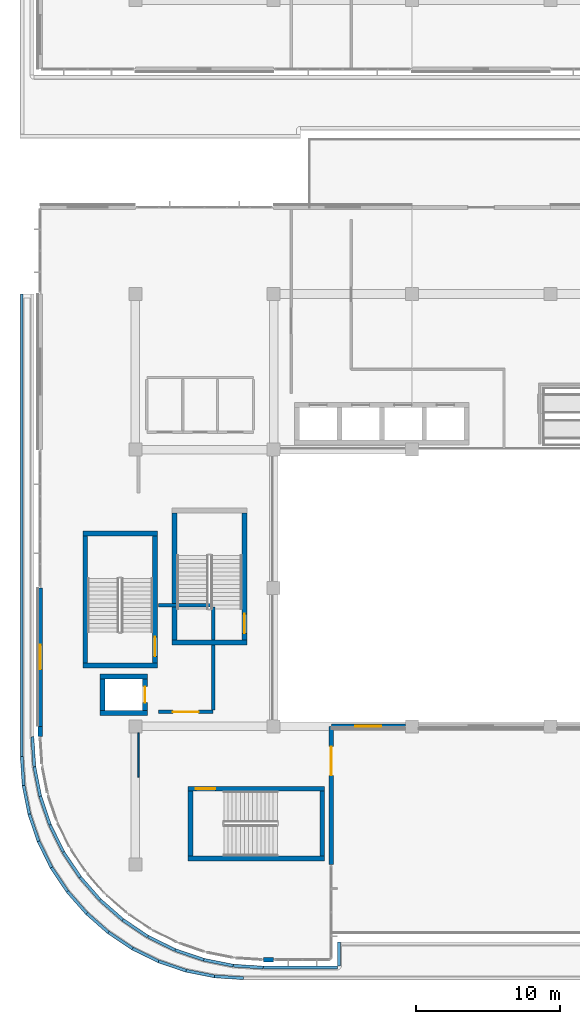
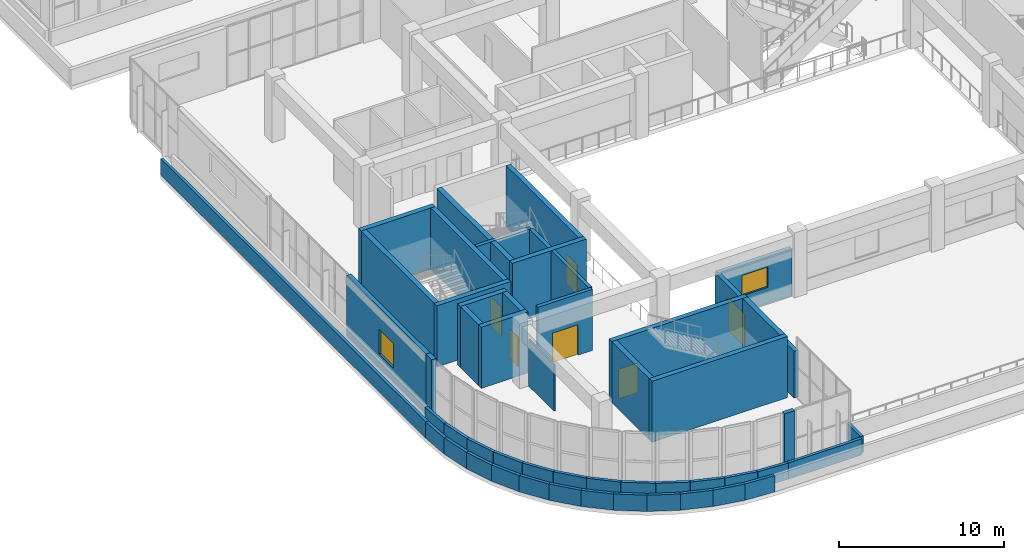
# One storey, part 61 of 96: 51 walls, 6 doors, 2 windows, 8 openings.
"""IFC4 building model written with IfcOpenShell, lengths in metres."""

from ifc_helpers import new_model, si_unit, direction, frame, frame_2d, origin, place, context, subcontext, project, spatial, rectangle, extrude, material, layer, layer_set, type_object, element, fill, save


model = new_model("IFC4")

# Units and contexts
model_context = context("Model", 3, precision=1e-05, world=origin(), true_north=direction((0.0, 1.0)))
body_context = subcontext(model_context, "Body", "Model", "MODEL_VIEW")
ifc_project = project(units=[si_unit("LENGTHUNIT", "METRE"), si_unit("AREAUNIT", "SQUARE_METRE"), si_unit("VOLUMEUNIT", "CUBIC_METRE"), si_unit("PLANEANGLEUNIT", "RADIAN"), si_unit("MASSUNIT", "GRAM", prefix="KILO")], contexts=[model_context])

# Site, building, storey
site_placement = place(None, origin())
site = spatial("IfcSite", under=ifc_project, at=site_placement, CompositionType="ELEMENT")
building_placement = place(site_placement, origin())
building = spatial("IfcBuilding", under=site, at=building_placement, Name="Cendralis Terraced Arcade", CompositionType="ELEMENT")
storey_placement = place(building_placement, frame((0.0, 0.0, 10.199951171875)))
storey = spatial("IfcBuildingStorey", under=building, at=storey_placement, Name="L02", CompositionType="ELEMENT", Elevation=10.199951171875)

# Walls
ifc_material_1 = material(Name="Concrete f'c 42 MPa", Category="concrete")
ifc_layer_1 = layer(ifc_material_1, 0.340087890625, Name="WL-CORE-340")
ifc_layer_set_1 = layer_set([ifc_layer_1], Name="Concrete f'c 42 MPa")
wall_type_1 = type_object("IfcWallType", Name="WL-CORE-340", PredefinedType="SHEAR", material=ifc_layer_set_1)
for number, where, z_axis, x_axis, name in (
    (1, (5.9599609375, 23.429931640625, 0.0), (0.0, 0.0, 1.0), (1.0, 0.0, 0.0), "Stair Core Reinforced Concrete Shear Wall SW-ST-01-L02-S"),
    (2, (5.9599609375, 32.570068359375, 0.0), (0.0, 0.0, 1.0), (1.0, 0.0, 0.0), "Stair Core Reinforced Concrete Shear Wall SW-ST-01-L02-N"),
):
    element("IfcWall", number, at=place(storey_placement, frame(where, z_axis=z_axis, x_axis=x_axis)), inside=storey, type_object=wall_type_1, Name=name, PredefinedType="SHEAR", context=body_context, shape_type="SweptSolid", body=[
        extrude(rectangle(XDim=5.179931640625, YDim=0.340087890625, at=frame_2d((2.58984375, 0.0))), origin(), (0.0, 0.0, 1.0), 4.51513671875),
    ])

# Wall, opening, door
wall_1_placement = place(storey_placement, frame((10.969970703125, 23.60009765625, 0.0), z_axis=(0.0, 0.0, 1.0), x_axis=(0.0, 1.0, 0.0)))
wall_1 = element("IfcWall", 3, at=wall_1_placement, inside=storey, type_object=wall_type_1, Name="Stair Core Reinforced Concrete Shear Wall SW-ST-01-L02-E", PredefinedType="SHEAR", context=body_context, shape_type="SweptSolid", body=[
    extrude(rectangle(XDim=8.7998046875, YDim=0.340087890625, at=frame_2d((4.39990234375, 0.0))), origin(), (0.0, 0.0, 1.0), 4.51513671875),
])
opening_1_placement = place(wall_1_placement, frame((0.449951171875, 0.0, 0.0)))
opening_1 = element("IfcOpeningElement", 4, at=opening_1_placement, cuts=wall_1, Name="Opening D-ST-01-L02", PredefinedType="OPENING", context=body_context, shape_type="SweptSolid", body=[
    extrude(rectangle(XDim=1.35009765625, YDim=2.199951171875, at=frame_2d((0.675048828125, 1.10009765625))), frame((0.0, 0.18212890625, 0.0), z_axis=(0.0, -1.0, 0.0), x_axis=(1.0, 0.0, 0.0)), (0.0, 0.0, 1.0), 0.364013671875),
])
ifc_material_2 = material(Name="Galvanised fire-rated steel door assembly", Category="steel")
door_type_1 = type_object("IfcDoorType", Name="ID-ST-1350x2200", OperationType="NOTDEFINED", PredefinedType="DOOR", material=ifc_material_2)
door_1_placement = place(opening_1_placement, origin())
door_1 = element("IfcDoor", 5, at=door_1_placement, inside=storey, type_object=door_type_1, Name="Protected Stair ST-01 Fire Door (L02)", OperationType="SINGLE_SWING_RIGHT", OverallHeight=2.199951171875, OverallWidth=1.35009765625, PredefinedType="DOOR", context=body_context, shape_type="SweptSolid", body=[
    extrude(rectangle(XDim=1.35009765625, YDim=2.199951171875, at=frame_2d((0.675048828125, 1.10009765625))), frame((0.0, 0.02490234375, 0.0), z_axis=(0.0, -1.0, 0.0), x_axis=(1.0, 0.0, 0.0)), (0.0, 0.0, 1.0), 0.050048828125),
])
fill(opening_1, door_1)

# Walls
wall_2_placement = place(storey_placement, frame((6.1298828125, 23.60009765625, 0.0), z_axis=(0.0, 0.0, 1.0), x_axis=(0.0, 1.0, 0.0)))
element("IfcWall", 6, at=wall_2_placement, inside=storey, type_object=wall_type_1, Name="Stair Core Reinforced Concrete Shear Wall SW-ST-01-L02-W", PredefinedType="SHEAR", context=body_context, shape_type="SweptSolid", body=[
    extrude(rectangle(XDim=8.7998046875, YDim=0.340087890625, at=frame_2d((4.39990234375, 0.0))), origin(), (0.0, 0.0, 1.0), 4.51513671875),
])
wall_3_placement = place(storey_placement, frame((13.260009765625, 10.030029296875, 0.0), z_axis=(0.0, 0.0, 1.0), x_axis=(1.0, 0.0, 0.0)))
element("IfcWall", 7, at=wall_3_placement, inside=storey, type_object=wall_type_1, Name="Stair Core Reinforced Concrete Shear Wall SW-ST-02-L02-S", PredefinedType="SHEAR", context=body_context, shape_type="SweptSolid", body=[
    extrude(rectangle(XDim=9.47998046875, YDim=0.340087890625, at=frame_2d((4.739990234375, 0.0))), origin(), (0.0, 0.0, 1.0), 4.51513671875),
])

# Wall, opening, door
wall_4_placement = place(storey_placement, frame((13.260009765625, 14.8701171875, 0.0), z_axis=(0.0, 0.0, 1.0), x_axis=(1.0, 0.0, 0.0)))
wall_4 = element("IfcWall", 8, at=wall_4_placement, inside=storey, type_object=wall_type_1, Name="Stair Core Reinforced Concrete Shear Wall SW-ST-02-L02-N", PredefinedType="SHEAR", context=body_context, shape_type="SweptSolid", body=[
    extrude(rectangle(XDim=9.47998046875, YDim=0.340087890625, at=frame_2d((4.739990234375, 0.0))), origin(), (0.0, 0.0, 1.0), 4.51513671875),
])
opening_2_placement = place(wall_4_placement, frame((0.550048828125, 0.0, 0.0)))
opening_2 = element("IfcOpeningElement", 9, at=opening_2_placement, cuts=wall_4, Name="Opening D-ST-02-L02", PredefinedType="OPENING", context=body_context, shape_type="SweptSolid", body=[
    extrude(rectangle(XDim=1.35009765625, YDim=2.199951171875, at=frame_2d((0.675048828125, 1.10009765625))), frame((0.0, 0.18212890625, 0.0), z_axis=(0.0, -1.0, 0.0), x_axis=(1.0, 0.0, 0.0)), (0.0, 0.0, 1.0), 0.364013671875),
])
door_2_placement = place(opening_2_placement, frame((1.35009765625, 0.0, 0.0), z_axis=(0.0, 0.0, 1.0), x_axis=(-1.0, 0.0, 0.0)))
door_2 = element("IfcDoor", 10, at=door_2_placement, inside=storey, type_object=door_type_1, Name="Protected Stair ST-02 Fire Door (L02)", OperationType="SINGLE_SWING_LEFT", OverallHeight=2.199951171875, OverallWidth=1.35009765625, PredefinedType="DOOR", context=body_context, shape_type="SweptSolid", body=[
    extrude(rectangle(XDim=1.35009765625, YDim=2.199951171875, at=frame_2d((0.675048828125, 1.10009765625))), frame((0.0, 0.02490234375, 0.0), z_axis=(0.0, -1.0, 0.0), x_axis=(1.0, 0.0, 0.0)), (0.0, 0.0, 1.0), 0.050048828125),
])
fill(opening_2, door_2)

# Walls
for number, where, z_axis, x_axis, name in (
    (11, (22.570068359375, 10.199951171875, 0.0), (0.0, 0.0, 1.0), (0.0, 1.0, 0.0), "Stair Core Reinforced Concrete Shear Wall SW-ST-02-L02-E"),
    (12, (13.429931640625, 10.199951171875, 0.0), (0.0, 0.0, 1.0), (0.0, 1.0, 0.0), "Stair Core Reinforced Concrete Shear Wall SW-ST-02-L02-W"),
):
    element("IfcWall", number, at=place(storey_placement, frame(where, z_axis=z_axis, x_axis=x_axis)), inside=storey, type_object=wall_type_1, Name=name, PredefinedType="SHEAR", context=body_context, shape_type="SweptSolid", body=[
        extrude(rectangle(XDim=4.5, YDim=0.340087890625, at=frame_2d((2.25, 0.0))), origin(), (0.0, 0.0, 1.0), 4.51513671875),
    ])
wall_5_placement = place(storey_placement, frame((12.159912109375, 25.030029296875, 0.0), z_axis=(0.0, 0.0, 1.0), x_axis=(1.0, 0.0, 0.0)))
element("IfcWall", 13, at=wall_5_placement, inside=storey, type_object=wall_type_1, Name="Stair Core Reinforced Concrete Shear Wall SW-ST-05-L02-S", PredefinedType="SHEAR", context=body_context, shape_type="SweptSolid", body=[
    extrude(rectangle(XDim=5.18017578125, YDim=0.340087890625, at=frame_2d((2.590087890625, 0.0))), origin(), (0.0, 0.0, 1.0), 4.51513671875),
])

# Wall, opening, door
wall_6_placement = place(storey_placement, frame((17.169921875, 25.199951171875, 0.0), z_axis=(0.0, 0.0, 1.0), x_axis=(0.0, 1.0, 0.0)))
wall_6 = element("IfcWall", 14, at=wall_6_placement, inside=storey, type_object=wall_type_1, Name="Stair Core Reinforced Concrete Shear Wall SW-ST-05-L02-E", PredefinedType="SHEAR", context=body_context, shape_type="SweptSolid", body=[
    extrude(rectangle(XDim=8.800048828125, YDim=0.340087890625, at=frame_2d((4.39990234375, 0.0))), origin(), (0.0, 0.0, 1.0), 4.51513671875),
])
opening_3_placement = place(wall_6_placement, frame((0.449951171875, 0.0, 0.0)))
opening_3 = element("IfcOpeningElement", 15, at=opening_3_placement, cuts=wall_6, Name="Opening D-ST-05-L02", PredefinedType="OPENING", context=body_context, shape_type="SweptSolid", body=[
    extrude(rectangle(XDim=1.35009765625, YDim=2.199951171875, at=frame_2d((0.675048828125, 1.10009765625))), frame((0.0, 0.18212890625, 0.0), z_axis=(0.0, -1.0, 0.0), x_axis=(1.0, 0.0, 0.0)), (0.0, 0.0, 1.0), 0.364013671875),
])
door_3_placement = place(opening_3_placement, origin())
door_3 = element("IfcDoor", 16, at=door_3_placement, inside=storey, type_object=door_type_1, Name="Protected Stair ST-05 Fire Door (L02)", OperationType="SINGLE_SWING_LEFT", OverallHeight=2.199951171875, OverallWidth=1.35009765625, PredefinedType="DOOR", context=body_context, shape_type="SweptSolid", body=[
    extrude(rectangle(XDim=1.35009765625, YDim=2.199951171875, at=frame_2d((0.675048828125, 1.10009765625))), frame((0.0, 0.02490234375, 0.0), z_axis=(0.0, -1.0, 0.0), x_axis=(1.0, 0.0, 0.0)), (0.0, 0.0, 1.0), 0.050048828125),
])
fill(opening_3, door_3)

# Walls
wall_7_placement = place(storey_placement, frame((12.330078125, 25.199951171875, 0.0), z_axis=(0.0, 0.0, 1.0), x_axis=(0.0, 1.0, 0.0)))
element("IfcWall", 17, at=wall_7_placement, inside=storey, type_object=wall_type_1, Name="Stair Core Reinforced Concrete Shear Wall SW-ST-05-L02-W", PredefinedType="SHEAR", context=body_context, shape_type="SweptSolid", body=[
    extrude(rectangle(XDim=8.800048828125, YDim=0.340087890625, at=frame_2d((4.39990234375, 0.0))), origin(), (0.0, 0.0, 1.0), 4.51513671875),
])
for number, where, z_axis, x_axis, name in (
    (18, (7.159912109375, 20.1298828125, 0.0), (0.0, 0.0, 1.0), (1.0, 0.0, 0.0), "Lift FFL-01 Reinforced Concrete Shaft Wall (L02)"),
    (19, (7.159912109375, 22.669921875, 0.0), (0.0, 0.0, 1.0), (1.0, 0.0, 0.0), "Lift FFL-01 Reinforced Concrete Shaft Wall (L02)"),
):
    element("IfcWall", number, at=place(storey_placement, frame(where, z_axis=z_axis, x_axis=x_axis)), inside=storey, type_object=wall_type_1, Name=name, PredefinedType="SHEAR", context=body_context, shape_type="SweptSolid", body=[
        extrude(rectangle(XDim=3.280029296875, YDim=0.340087890625, at=frame_2d((1.64013671875, 0.0))), origin(), (0.0, 0.0, 1.0), 4.51513671875),
    ])
wall_8_placement = place(storey_placement, frame((7.330078125, 20.300048828125, 0.0), z_axis=(0.0, 0.0, 1.0), x_axis=(0.0, 1.0, 0.0)))
element("IfcWall", 20, at=wall_8_placement, inside=storey, type_object=wall_type_1, Name="Lift FFL-01 Reinforced Concrete Shaft Wall (L02)", PredefinedType="SHEAR", context=body_context, shape_type="SweptSolid", body=[
    extrude(rectangle(XDim=2.199951171875, YDim=0.340087890625, at=frame_2d((1.10009765625, 0.0))), origin(), (0.0, 0.0, 1.0), 4.51513671875),
])

# Wall, opening, door
wall_9_placement = place(storey_placement, frame((10.27001953125, 20.300048828125, 0.0), z_axis=(0.0, 0.0, 1.0), x_axis=(0.0, 1.0, 0.0)))
wall_9 = element("IfcWall", 21, at=wall_9_placement, inside=storey, type_object=wall_type_1, Name="Lift FFL-01 Reinforced Concrete Shaft Wall (L02)", PredefinedType="SHEAR", context=body_context, shape_type="SweptSolid", body=[
    extrude(rectangle(XDim=2.199951171875, YDim=0.340087890625, at=frame_2d((1.10009765625, 0.0))), origin(), (0.0, 0.0, 1.0), 4.51513671875),
])
opening_4_placement = place(wall_9_placement, frame((0.550048828125, 0.0, 0.0)))
opening_4 = element("IfcOpeningElement", 22, at=opening_4_placement, cuts=wall_9, Name="Opening LD-FFL-01-L02", PredefinedType="OPENING", context=body_context, shape_type="SweptSolid", body=[
    extrude(rectangle(XDim=1.10009765625, YDim=2.14990234375, at=frame_2d((0.550048828125, 1.074951171875))), frame((0.0, 0.18212890625, 0.0), z_axis=(0.0, -1.0, 0.0), x_axis=(1.0, 0.0, 0.0)), (0.0, 0.0, 1.0), 0.364013671875),
])
ifc_material_3 = material(Name="Anodised aluminium sliding door assembly", Category="aluminium")
door_type_2 = type_object("IfcDoorType", Name="ID-LD-FF-1100x2150", OperationType="DOUBLE_DOOR_SLIDING", PredefinedType="DOOR", material=ifc_material_3)
door_4_placement = place(opening_4_placement, origin())
door_4 = element("IfcDoor", 23, at=door_4_placement, inside=storey, type_object=door_type_2, Name="Lift FFL-01 Sliding Landing Door (L02)", OperationType="DOUBLE_DOOR_SLIDING", OverallHeight=2.14990234375, OverallWidth=1.10009765625, PredefinedType="DOOR", context=body_context, shape_type="SweptSolid", body=[
    extrude(rectangle(XDim=1.10009765625, YDim=2.14990234375, at=frame_2d((0.550048828125, 1.074951171875))), frame((0.0, 0.02490234375, 0.0), z_axis=(0.0, -1.0, 0.0), x_axis=(1.0, 0.0, 0.0)), (0.0, 0.0, 1.0), 0.050048828125),
])
fill(opening_4, door_4)

# Wall, opening, window
ifc_material_4 = material(Name="Precast concrete f'c 40 MPa", Category="concrete")
ifc_layer_2 = layer(ifc_material_4, 0.300048828125, Name="WL-EXT-GRC-300")
ifc_layer_set_2 = layer_set([ifc_layer_2], Name="Precast concrete f'c 40 MPa")
wall_type_2 = type_object("IfcWallType", Name="WL-EXT-GRC-300", PredefinedType="SOLIDWALL", material=ifc_layer_set_2)
wall_10_placement = place(storey_placement, frame((28.35205078125, 19.199951171875, 0.0), z_axis=(0.0, 0.0, 1.0), x_axis=(-1.0, 0.0, 0.0)))
wall_10 = element("IfcWall", 24, at=wall_10_placement, inside=storey, type_object=wall_type_2, Name="Exterior Architectural Wall EW-L02-0216", PredefinedType="SOLIDWALL", context=body_context, shape_type="SweptSolid", body=[
    extrude(rectangle(XDim=5.152099609375, YDim=0.300048828125, at=frame_2d((2.576171875, 0.0))), origin(), (0.0, 0.0, 1.0), 3.455078125),
])
opening_5_placement = place(wall_10_placement, frame((1.676025390625, 0.0, 1.199951171875)))
opening_5 = element("IfcOpeningElement", 25, at=opening_5_placement, cuts=wall_10, Name="Opening W-19", PredefinedType="OPENING", context=body_context, shape_type="SweptSolid", body=[
    extrude(rectangle(XDim=1.800048828125, YDim=1.5, at=frame_2d((0.89990234375, 0.75))), frame((0.0, 0.162109375, 0.0), z_axis=(0.0, -1.0, 0.0), x_axis=(1.0, 0.0, 0.0)), (0.0, 0.0, 1.0), 0.323974609375),
])
ifc_material_5 = material(Name="Tempered solar control laminated glass", Category="glass")
window_type_1 = type_object("IfcWindowType", Name="WN-BOH-1800x1500", PartitioningType="SINGLE_PANEL", PredefinedType="WINDOW", material=ifc_material_5)
window_1_placement = place(opening_5_placement, origin())
window_1 = element("IfcWindow", 26, at=window_1_placement, inside=storey, type_object=window_type_1, Name="Exterior Solar-Control Window WN-L02-0133", OverallHeight=1.5, OverallWidth=1.800048828125, PartitioningType="SINGLE_PANEL", PredefinedType="WINDOW", context=body_context, shape_type="SweptSolid", body=[
    extrude(rectangle(XDim=1.800048828125, YDim=1.5, at=frame_2d((0.89990234375, 0.75))), frame((0.0, 0.030029296875, 0.0), z_axis=(0.0, -1.0, 0.0), x_axis=(1.0, 0.0, 0.0)), (0.0, 0.0, 1.0), 0.06005859375),
])
fill(opening_5, window_1)

# Wall, opening, door
wall_11_placement = place(storey_placement, frame((23.199951171875, 19.199951171875, 0.0), z_axis=(0.0, 0.0, 1.0), x_axis=(0.0, -1.0, 0.0)))
wall_11 = element("IfcWall", 27, at=wall_11_placement, inside=storey, type_object=wall_type_2, Name="Exterior Architectural Wall EW-L02-0217", PredefinedType="SOLIDWALL", context=body_context, shape_type="SweptSolid", body=[
    extrude(rectangle(XDim=9.599853515625, YDim=0.300048828125, at=frame_2d((4.7998046875, 0.0))), origin(), (0.0, 0.0, 1.0), 3.455078125),
])
opening_6_placement = place(wall_11_placement, frame((1.39990234375, 0.0, 0.0)))
opening_6 = element("IfcOpeningElement", 28, at=opening_6_placement, cuts=wall_11, Name="Opening TD-L02-01", PredefinedType="OPENING", context=body_context, shape_type="SweptSolid", body=[
    extrude(rectangle(XDim=2.0, YDim=2.39990234375, at=frame_2d((1.0, 1.199951171875))), frame((0.0, 0.162109375, 0.0), z_axis=(0.0, -1.0, 0.0), x_axis=(1.0, 0.0, 0.0)), (0.0, 0.0, 1.0), 0.323974609375),
])
ifc_material_6 = material(Name="Powder-coated thermally broken aluminium and glass", Category="aluminium")
door_type_3 = type_object("IfcDoorType", Name="ED-TER-2000x2400", OperationType="DOUBLE_DOOR_SINGLE_SWING", PredefinedType="DOOR", material=ifc_material_6)
door_5_placement = place(opening_6_placement, origin())
door_5 = element("IfcDoor", 29, at=door_5_placement, inside=storey, type_object=door_type_3, Name="Planted Terrace Access Door TD-L02-01", OperationType="DOUBLE_DOOR_SINGLE_SWING", OverallHeight=2.39990234375, OverallWidth=2.0, PredefinedType="DOOR", context=body_context, shape_type="SweptSolid", body=[
    extrude(rectangle(XDim=2.0, YDim=2.39990234375, at=frame_2d((1.0, 1.199951171875))), frame((0.0, 0.02490234375, 0.0), z_axis=(0.0, -1.0, 0.0), x_axis=(1.0, 0.0, 0.0)), (0.0, 0.0, 1.0), 0.050048828125),
])
fill(opening_6, door_5)

# Walls
for number, where, z_axis, x_axis, name in (
    (30, (19.199951171875, 3.0, 0.0), (0.0, 0.0, 1.0), (-1.0, 0.0, 0.0), "Exterior Architectural Wall EW-L02-0218"),
    (31, (3.0, 18.5, 0.0), (0.0, 0.0, 1.0), (0.0, 1.0, 0.0), "Exterior Architectural Wall EW-L02-0219"),
):
    element("IfcWall", number, at=place(storey_placement, frame(where, z_axis=z_axis, x_axis=x_axis)), inside=storey, type_object=wall_type_2, Name=name, PredefinedType="SOLIDWALL", context=body_context, shape_type="SweptSolid", body=[
        extrude(rectangle(XDim=0.699951171875, YDim=0.300048828125, at=frame_2d((0.35009765625, 0.0))), origin(), (0.0, 0.0, 1.0), 4.51513671875),
    ])

# Wall, opening, window
wall_12_placement = place(storey_placement, frame((3.0, 19.199951171875, 0.0), z_axis=(0.0, 0.0, 1.0), x_axis=(0.0, 1.0, 0.0)))
wall_12 = element("IfcWall", 32, at=wall_12_placement, inside=storey, type_object=wall_type_2, Name="Exterior Architectural Wall EW-L02-0220", PredefinedType="SOLIDWALL", context=body_context, shape_type="SweptSolid", body=[
    extrude(rectangle(XDim=9.60009765625, YDim=0.300048828125, at=frame_2d((4.800048828125, 0.0))), origin(), (0.0, 0.0, 1.0), 4.51513671875),
])
opening_7_placement = place(wall_12_placement, frame((3.949951171875, 0.0, 1.10009765625)))
opening_7 = element("IfcOpeningElement", 33, at=opening_7_placement, cuts=wall_12, Name="Opening W-14", PredefinedType="OPENING", context=body_context, shape_type="SweptSolid", body=[
    extrude(rectangle(XDim=1.699951171875, YDim=1.800048828125, at=frame_2d((0.85009765625, 0.89990234375))), frame((0.0, 0.162109375, 0.0), z_axis=(0.0, -1.0, 0.0), x_axis=(1.0, 0.0, 0.0)), (0.0, 0.0, 1.0), 0.323974609375),
])
window_type_2 = type_object("IfcWindowType", Name="WN-F2-1700x1800", PartitioningType="SINGLE_PANEL", PredefinedType="WINDOW", material=ifc_material_5)
window_2_placement = place(opening_7_placement, origin())
window_2 = element("IfcWindow", 34, at=window_2_placement, inside=storey, type_object=window_type_2, Name="Exterior Solar-Control Window WN-L02-0134", OverallHeight=1.800048828125, OverallWidth=1.699951171875, PartitioningType="SINGLE_PANEL", PredefinedType="WINDOW", context=body_context, shape_type="SweptSolid", body=[
    extrude(rectangle(XDim=1.699951171875, YDim=1.800048828125, at=frame_2d((0.85009765625, 0.89990234375))), frame((0.0, 0.030029296875, 0.0), z_axis=(0.0, -1.0, 0.0), x_axis=(1.0, 0.0, 0.0)), (0.0, 0.0, 1.0), 0.06005859375),
])
fill(opening_7, window_2)

# Wall, opening, door
ifc_material_7 = material(Name="Autoclaved aerated concrete blockwork", Category="masonry")
ifc_layer_3 = layer(ifc_material_7, 0.25, Name="WL-FFL-250")
ifc_layer_set_3 = layer_set([ifc_layer_3], Name="Autoclaved aerated concrete blockwork")
wall_type_3 = type_object("IfcWallType", Name="WL-FFL-250", PredefinedType="PARTITIONING", material=ifc_layer_set_3)
wall_13_placement = place(storey_placement, frame((11.199951171875, 20.199951171875, 0.0), z_axis=(0.0, 0.0, 1.0), x_axis=(1.0, 0.0, 0.0)))
wall_13 = element("IfcWall", 35, at=wall_13_placement, inside=storey, type_object=wall_type_3, Name="Firefighting Lift Lobby FFL-01 Rated Wall S (L02)", PredefinedType="PARTITIONING", context=body_context, shape_type="SweptSolid", body=[
    extrude(rectangle(XDim=3.800048828125, YDim=0.25, at=frame_2d((1.89990234375, 0.0))), origin(), (0.0, 0.0, 1.0), 4.51513671875),
])
opening_8_placement = place(wall_13_placement, frame((1.0, 0.0, 0.0)))
opening_8 = element("IfcOpeningElement", 36, at=opening_8_placement, cuts=wall_13, Name="Opening D-FFL-01-L02-S", PredefinedType="OPENING", context=body_context, shape_type="SweptSolid", body=[
    extrude(rectangle(XDim=1.800048828125, YDim=2.25, at=frame_2d((0.89990234375, 1.125))), frame((0.0, 0.136962890625, 0.0), z_axis=(0.0, -1.0, 0.0), x_axis=(1.0, 0.0, 0.0)), (0.0, 0.0, 1.0), 0.27392578125),
])
door_type_4 = type_object("IfcDoorType", Name="ID-FFL-1800x2250", OperationType="DOUBLE_DOOR_SINGLE_SWING", PredefinedType="DOOR", material=ifc_material_2)
door_6_placement = place(opening_8_placement, origin())
door_6 = element("IfcDoor", 37, at=door_6_placement, inside=storey, type_object=door_type_4, Name="Firefighting Lift Lobby FFL-01 Rated Double Door (L02)", OperationType="DOUBLE_DOOR_SINGLE_SWING", OverallHeight=2.25, OverallWidth=1.800048828125, PredefinedType="DOOR", context=body_context, shape_type="SweptSolid", body=[
    extrude(rectangle(XDim=1.800048828125, YDim=2.25, at=frame_2d((0.89990234375, 1.125))), frame((0.0, 0.02490234375, 0.0), z_axis=(0.0, -1.0, 0.0), x_axis=(1.0, 0.0, 0.0)), (0.0, 0.0, 1.0), 0.050048828125),
])
fill(opening_8, door_6)

# Walls
wall_14_placement = place(storey_placement, frame((11.199951171875, 27.60009765625, 0.0), z_axis=(0.0, 0.0, 1.0), x_axis=(1.0, 0.0, 0.0)))
element("IfcWall", 38, at=wall_14_placement, inside=storey, type_object=wall_type_3, Name="Firefighting Lift Lobby FFL-01 Rated Wall N (L02)", PredefinedType="PARTITIONING", context=body_context, shape_type="SweptSolid", body=[
    extrude(rectangle(XDim=3.800048828125, YDim=0.25, at=frame_2d((1.89990234375, 0.0))), origin(), (0.0, 0.0, 1.0), 4.51513671875),
])
wall_15_placement = place(storey_placement, frame((15.0, 20.330078125, 0.0), z_axis=(0.0, 0.0, 1.0), x_axis=(0.0, 1.0, 0.0)))
element("IfcWall", 39, at=wall_15_placement, inside=storey, type_object=wall_type_3, Name="Firefighting Lift Lobby FFL-01 Rated Wall E (L02)", PredefinedType="PARTITIONING", context=body_context, shape_type="SweptSolid", body=[
    extrude(rectangle(XDim=7.139892578125, YDim=0.25, at=frame_2d((3.56982421875, 0.0))), origin(), (0.0, 0.0, 1.0), 4.51513671875),
])
ifc_layer_4 = layer(ifc_material_4, 0.205078125, Name="WL-PAR-205")
ifc_layer_set_4 = layer_set([ifc_layer_4], Name="Precast concrete f'c 40 MPa")
wall_type_4 = type_object("IfcWallType", Name="WL-PAR-205", PredefinedType="PARAPET", material=ifc_layer_set_4)
wall_16_placement = place(storey_placement, frame((17.10791015625, 1.72216796875, 0.0), z_axis=(0.0, 0.0, 1.0), x_axis=(-0.997860170016, 0.065384104298, 0.0)))
element("IfcWall", 40, at=wall_16_placement, inside=storey, type_object=wall_type_4, Name="Precast Concrete Roof Parapet Wall PAR-L02-108", PredefinedType="PARAPET", context=body_context, shape_type="SweptSolid", body=[
    extrude(rectangle(XDim=2.027587890625, YDim=0.205078125, at=frame_2d((1.013671875, 0.0))), origin(), (0.0, 0.0, 1.0), 1.199951171875),
])
wall_17_placement = place(storey_placement, frame((15.1005859375, 1.852783203125, 0.0), z_axis=(0.0, 0.0, 1.0), x_axis=(-0.98078395124, 0.195097004053, 0.0)))
element("IfcWall", 41, at=wall_17_placement, inside=storey, type_object=wall_type_4, Name="Precast Concrete Roof Parapet Wall PAR-L02-109", PredefinedType="PARAPET", context=body_context, shape_type="SweptSolid", body=[
    extrude(rectangle(XDim=2.02734375, YDim=0.205078125, at=frame_2d((1.013671875, 0.0))), origin(), (0.0, 0.0, 1.0), 1.199951171875),
])
wall_18_placement = place(storey_placement, frame((13.127685546875, 2.244140625, 0.0), z_axis=(0.0, 0.0, 1.0), x_axis=(-0.946910640258, 0.321496873028, 0.0)))
element("IfcWall", 42, at=wall_18_placement, inside=storey, type_object=wall_type_4, Name="Precast Concrete Roof Parapet Wall PAR-L02-110", PredefinedType="PARAPET", context=body_context, shape_type="SweptSolid", body=[
    extrude(rectangle(XDim=2.027587890625, YDim=0.205078125, at=frame_2d((1.013671875, 0.0))), origin(), (0.0, 0.0, 1.0), 1.199951171875),
])
for number, where, z_axis, x_axis, name in (
    (43, (11.22265625, 2.889892578125, 0.0), (0.0, 0.0, 1.0), (-0.896870216232, 0.442293810985, 0.0), "Precast Concrete Roof Parapet Wall PAR-L02-111"),
    (44, (9.418212890625, 3.778564453125, 0.0), (0.0, 0.0, 1.0), (-0.83151263749, 0.555505835878, 0.0), "Precast Concrete Roof Parapet Wall PAR-L02-112"),
):
    element("IfcWall", number, at=place(storey_placement, frame(where, z_axis=z_axis, x_axis=x_axis)), inside=storey, type_object=wall_type_4, Name=name, PredefinedType="PARAPET", context=body_context, shape_type="SweptSolid", body=[
        extrude(rectangle(XDim=2.02734375, YDim=0.205078125, at=frame_2d((1.013671875, 0.0))), origin(), (0.0, 0.0, 1.0), 1.199951171875),
    ])
for number, where, z_axis, x_axis, name in (
    (45, (7.7451171875, 4.89501953125, 0.0), (0.0, 0.0, 1.0), (-0.751830318908, 0.659356634584, 0.0), "Precast Concrete Roof Parapet Wall PAR-L02-113"),
    (46, (6.23193359375, 6.220703125, 0.0), (0.0, 0.0, 1.0), (-0.659356634584, 0.751830318908, 0.0), "Precast Concrete Roof Parapet Wall PAR-L02-114"),
):
    element("IfcWall", number, at=place(storey_placement, frame(where, z_axis=z_axis, x_axis=x_axis)), inside=storey, type_object=wall_type_4, Name=name, PredefinedType="PARAPET", context=body_context, shape_type="SweptSolid", body=[
        extrude(rectangle(XDim=2.027587890625, YDim=0.205078125, at=frame_2d((1.013671875, 0.0))), origin(), (0.0, 0.0, 1.0), 1.199951171875),
    ])
for number, where, z_axis, x_axis, name in (
    (47, (4.90478515625, 7.732421875, 0.0), (0.0, 0.0, 1.0), (-0.555505835878, 0.83151263749, 0.0), "Precast Concrete Roof Parapet Wall PAR-L02-115"),
    (48, (3.78662109375, 9.404296875, 0.0), (0.0, 0.0, 1.0), (-0.442293810985, 0.896870216232, 0.0), "Precast Concrete Roof Parapet Wall PAR-L02-116"),
):
    element("IfcWall", number, at=place(storey_placement, frame(where, z_axis=z_axis, x_axis=x_axis)), inside=storey, type_object=wall_type_4, Name=name, PredefinedType="PARAPET", context=body_context, shape_type="SweptSolid", body=[
        extrude(rectangle(XDim=2.02734375, YDim=0.205078125, at=frame_2d((1.013671875, 0.0))), origin(), (0.0, 0.0, 1.0), 1.199951171875),
    ])
wall_19_placement = place(storey_placement, frame((2.89599609375, 11.207763671875, 0.0), z_axis=(0.0, 0.0, 1.0), x_axis=(-0.321496873028, 0.946910640258, 0.0)))
element("IfcWall", 49, at=wall_19_placement, inside=storey, type_object=wall_type_4, Name="Precast Concrete Roof Parapet Wall PAR-L02-117", PredefinedType="PARAPET", context=body_context, shape_type="SweptSolid", body=[
    extrude(rectangle(XDim=2.027587890625, YDim=0.205078125, at=frame_2d((1.013671875, 0.0))), origin(), (0.0, 0.0, 1.0), 1.199951171875),
])
wall_20_placement = place(storey_placement, frame((2.248291015625, 13.1123046875, 0.0), z_axis=(0.0, 0.0, 1.0), x_axis=(-0.195097004053, 0.98078395124, 0.0)))
element("IfcWall", 50, at=wall_20_placement, inside=storey, type_object=wall_type_4, Name="Precast Concrete Roof Parapet Wall PAR-L02-118", PredefinedType="PARAPET", context=body_context, shape_type="SweptSolid", body=[
    extrude(rectangle(XDim=2.02734375, YDim=0.205078125, at=frame_2d((1.013671875, 0.0))), origin(), (0.0, 0.0, 1.0), 1.199951171875),
])
wall_21_placement = place(storey_placement, frame((1.854736328125, 15.084716796875, 0.0), z_axis=(0.0, 0.0, 1.0), x_axis=(-0.065384104298, 0.997860170016, 0.0)))
element("IfcWall", 51, at=wall_21_placement, inside=storey, type_object=wall_type_4, Name="Precast Concrete Roof Parapet Wall PAR-L02-119", PredefinedType="PARAPET", context=body_context, shape_type="SweptSolid", body=[
    extrude(rectangle(XDim=2.027587890625, YDim=0.205078125, at=frame_2d((1.013671875, 0.0))), origin(), (0.0, 0.0, 1.0), 1.199951171875),
])
wall_22_placement = place(storey_placement, frame((1.722412109375, 17.10009765625, 0.0), z_axis=(0.0, 0.0, 1.0), x_axis=(0.0, 1.0, 0.0)))
element("IfcWall", 52, at=wall_22_placement, inside=storey, type_object=wall_type_4, Name="Precast Concrete Roof Parapet Wall PAR-L02-120", PredefinedType="PARAPET", context=body_context, shape_type="SweptSolid", body=[
    extrude(rectangle(XDim=32.099853515625, YDim=0.205078125, at=frame_2d((16.0498046875, 0.0))), origin(), (0.0, 0.0, 1.0), 1.199951171875),
])
wall_23_placement = place(storey_placement, frame((2.457763671875, 18.478271484375, 0.0), z_axis=(0.0, 0.0, 1.0), x_axis=(0.065375455078, -0.997860736713, 0.0)))
element("IfcWall", 53, at=wall_23_placement, inside=storey, type_object=wall_type_4, Name="Precast Concrete Roof Parapet Wall PAR-L02-122", PredefinedType="PARAPET", context=body_context, shape_type="SweptSolid", body=[
    extrude(rectangle(XDim=2.06884765625, YDim=0.205078125, at=frame_2d((1.034423828125, 0.0))), origin(), (0.0, 0.0, 1.0), 1.199951171875),
])
wall_24_placement = place(storey_placement, frame((2.59521484375, 16.39794921875, 0.0), z_axis=(0.0, 0.0, 1.0), x_axis=(0.195078947103, -0.980787542946, 0.0)))
element("IfcWall", 54, at=wall_24_placement, inside=storey, type_object=wall_type_4, Name="Precast Concrete Roof Parapet Wall PAR-L02-123", PredefinedType="PARAPET", context=body_context, shape_type="SweptSolid", body=[
    extrude(rectangle(XDim=2.08251953125, YDim=0.205078125, at=frame_2d((1.041259765625, 0.0))), origin(), (0.0, 0.0, 1.0), 1.199951171875),
])
wall_25_placement = place(storey_placement, frame((3.005615234375, 14.340087890625, 0.0), z_axis=(0.0, 0.0, 1.0), x_axis=(0.321427744979, -0.946934107928, 0.0)))
element("IfcWall", 55, at=wall_25_placement, inside=storey, type_object=wall_type_4, Name="Precast Concrete Roof Parapet Wall PAR-L02-124", PredefinedType="PARAPET", context=body_context, shape_type="SweptSolid", body=[
    extrude(rectangle(XDim=2.082763671875, YDim=0.205078125, at=frame_2d((1.04150390625, 0.0))), origin(), (0.0, 0.0, 1.0), 1.199951171875),
])
for number, where, z_axis, x_axis, name in (
    (56, (3.68115234375, 12.35302734375, 0.0), (0.0, 0.0, 1.0), (0.442329946041, -0.896852395233, 0.0), "Precast Concrete Roof Parapet Wall PAR-L02-125"),
    (57, (4.610107421875, 10.471435546875, 0.0), (0.0, 0.0, 1.0), (0.555592692256, -0.831454605082, 0.0), "Precast Concrete Roof Parapet Wall PAR-L02-126"),
    (58, (5.777099609375, 8.727294921875, 0.0), (0.0, 0.0, 1.0), (0.659284383877, -0.751893676776, 0.0), "Precast Concrete Roof Parapet Wall PAR-L02-127"),
    (59, (7.161376953125, 7.150146484375, 0.0), (0.0, 0.0, 1.0), (0.751893676776, -0.659284383877, 0.0), "Precast Concrete Roof Parapet Wall PAR-L02-128"),
    (60, (8.739990234375, 5.76708984375, 0.0), (0.0, 0.0, 1.0), (0.831454605082, -0.555592692256, 0.0), "Precast Concrete Roof Parapet Wall PAR-L02-129"),
    (61, (10.4853515625, 4.602294921875, 0.0), (0.0, 0.0, 1.0), (0.896852395233, -0.442329946041, 0.0), "Precast Concrete Roof Parapet Wall PAR-L02-130"),
):
    element("IfcWall", number, at=place(storey_placement, frame(where, z_axis=z_axis, x_axis=x_axis)), inside=storey, type_object=wall_type_4, Name=name, PredefinedType="PARAPET", context=body_context, shape_type="SweptSolid", body=[
        extrude(rectangle(XDim=2.08251953125, YDim=0.205078125, at=frame_2d((1.041259765625, 0.0))), origin(), (0.0, 0.0, 1.0), 1.199951171875),
    ])
wall_26_placement = place(storey_placement, frame((12.367919921875, 3.675048828125, 0.0), z_axis=(0.0, 0.0, 1.0), x_axis=(0.946934107928, -0.321427744979, 0.0)))
element("IfcWall", 62, at=wall_26_placement, inside=storey, type_object=wall_type_4, Name="Precast Concrete Roof Parapet Wall PAR-L02-131", PredefinedType="PARAPET", context=body_context, shape_type="SweptSolid", body=[
    extrude(rectangle(XDim=2.082763671875, YDim=0.205078125, at=frame_2d((1.04150390625, 0.0))), origin(), (0.0, 0.0, 1.0), 1.199951171875),
])
wall_27_placement = place(storey_placement, frame((14.35546875, 3.00146484375, 0.0), z_axis=(0.0, 0.0, 1.0), x_axis=(0.980787542946, -0.195078947103, 0.0)))
element("IfcWall", 63, at=wall_27_placement, inside=storey, type_object=wall_type_4, Name="Precast Concrete Roof Parapet Wall PAR-L02-132", PredefinedType="PARAPET", context=body_context, shape_type="SweptSolid", body=[
    extrude(rectangle(XDim=2.08251953125, YDim=0.205078125, at=frame_2d((1.041259765625, 0.0))), origin(), (0.0, 0.0, 1.0), 1.199951171875),
])
wall_28_placement = place(storey_placement, frame((16.413818359375, 2.593017578125, 0.0), z_axis=(0.0, 0.0, 1.0), x_axis=(0.997860736713, -0.065375455078, 0.0)))
element("IfcWall", 64, at=wall_28_placement, inside=storey, type_object=wall_type_4, Name="Precast Concrete Roof Parapet Wall PAR-L02-133", PredefinedType="PARAPET", context=body_context, shape_type="SweptSolid", body=[
    extrude(rectangle(XDim=2.06884765625, YDim=0.205078125, at=frame_2d((1.034423828125, 0.0))), origin(), (0.0, 0.0, 1.0), 1.199951171875),
])
wall_29_placement = place(storey_placement, frame((18.486328125, 2.45751953125, 0.0), z_axis=(0.0, 0.0, 1.0), x_axis=(1.0, 0.0, 0.0)))
element("IfcWall", 65, at=wall_29_placement, inside=storey, type_object=wall_type_4, Name="Precast Concrete Roof Parapet Wall PAR-L02-134", PredefinedType="PARAPET", context=body_context, shape_type="SweptSolid", body=[
    extrude(rectangle(XDim=5.1337890625, YDim=0.205078125, at=frame_2d((2.56689453125, 0.0))), origin(), (0.0, 0.0, 1.0), 1.199951171875),
])
wall_30_placement = place(storey_placement, frame((23.742431640625, 2.580078125, 0.0), z_axis=(0.0, 0.0, 1.0), x_axis=(0.0, 1.0, 0.0)))
element("IfcWall", 66, at=wall_30_placement, inside=storey, type_object=wall_type_4, Name="Precast Concrete Roof Parapet Wall PAR-L02-135", PredefinedType="PARAPET", context=body_context, shape_type="SweptSolid", body=[
    extrude(rectangle(XDim=1.669921875, YDim=0.205078125, at=frame_2d((0.8349609375, 0.0))), origin(), (0.0, 0.0, 1.0), 1.199951171875),
])
ifc_material_8 = material(Name="Gypsum plasterboard acoustic partition", Category="concrete")
ifc_layer_5 = layer(ifc_material_8, 0.10791015625, Name="WL-PART-108")
ifc_layer_set_5 = layer_set([ifc_layer_5], Name="Gypsum plasterboard acoustic partition")
wall_type_5 = type_object("IfcWallType", Name="WL-PART-108", PredefinedType="PARTITIONING", material=ifc_layer_set_5)
wall_31_placement = place(storey_placement, frame((9.820068359375, 18.75, 0.0), z_axis=(0.0, 0.0, 1.0), x_axis=(0.0, -1.0, 0.0)))
element("IfcWall", 67, at=wall_31_placement, inside=storey, type_object=wall_type_5, Name="Interior Partition Wall IW-L02-0441", PredefinedType="PARTITIONING", context=body_context, shape_type="SweptSolid", body=[
    extrude(rectangle(XDim=3.070068359375, YDim=0.10791015625, at=frame_2d((1.53515625, 0.0))), origin(), (0.0, 0.0, 1.0), 3.455078125),
])

save(model, "model.ifc")
